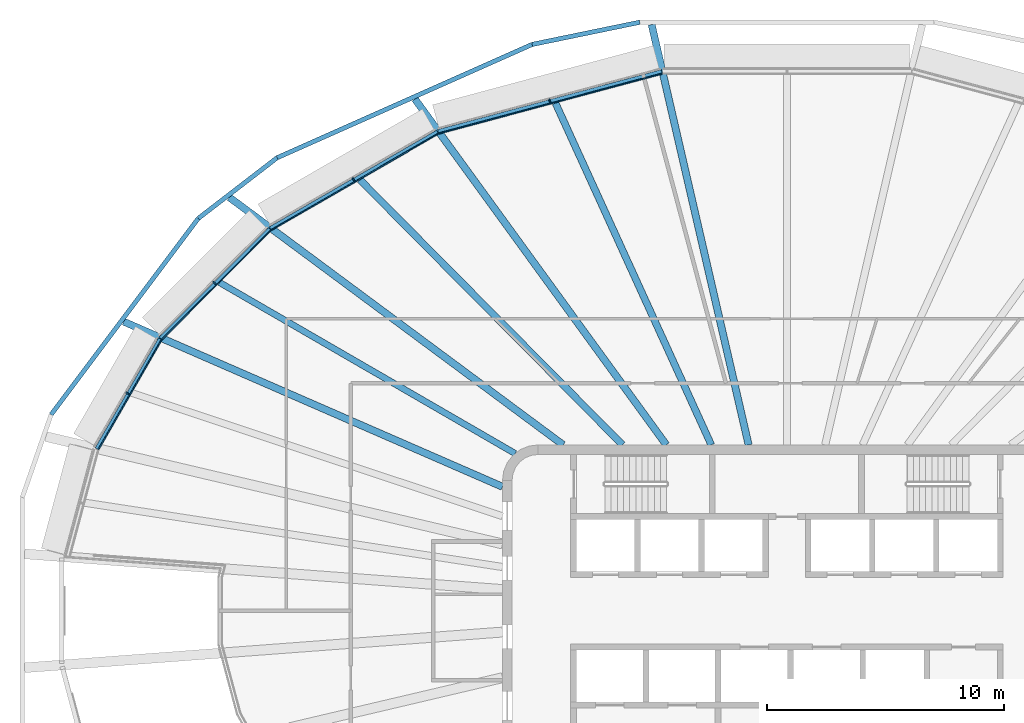
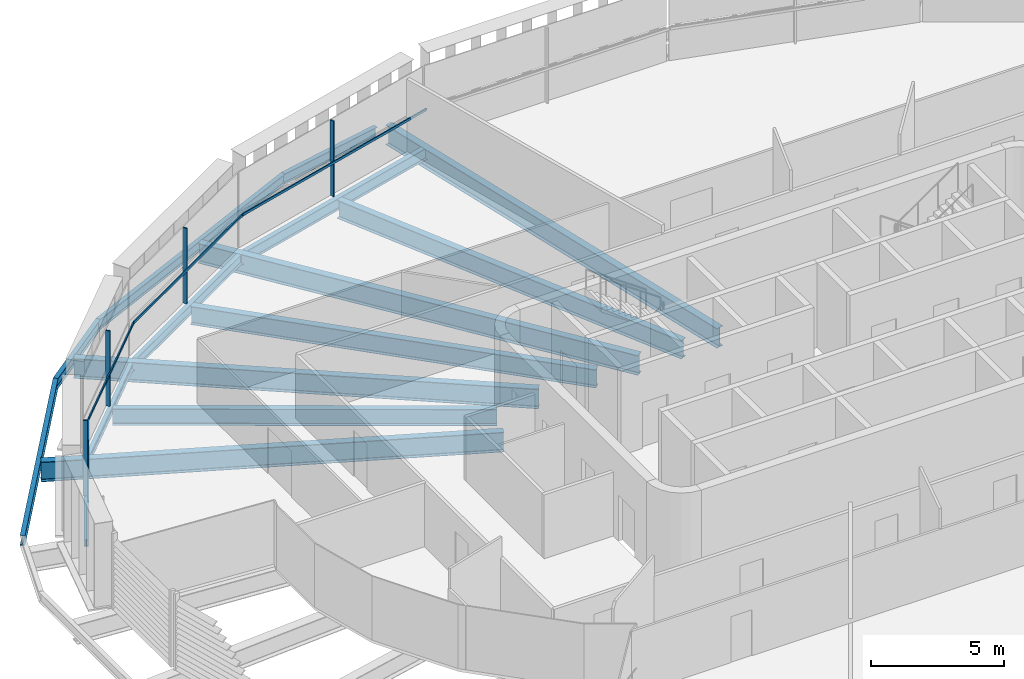
# One storey, part 5 of 19: 15 beams, 8 members, 4 elements without a shape of their own.
"""IFC4 building model written with IfcOpenShell, lengths in metres."""

import ifcopenshell
import ifcopenshell.guid

model = None  # the IFC model being written
_history = None  # IfcOwnerHistory: only IFC2X3 demands one
_inside = {}  # id of a spatial element -> (the spatial element, [elements in it])
_under = {}  # id of a project, library or spatial element -> (it, [spatial elements below it])
_declared = {}  # id of a project -> (the project, [libraries it declares])
_typed = {}  # id of a type object -> (the type object, [elements of that type])
_made_of = {}  # id of a material, layer set ... -> (it, [elements and type objects made of it])


def new_model(schema):
    """Start an empty IFC model of exactly this schema.

    Asked for "IFC4X3", IfcOpenShell would pick the latest addendum, in which some entities
    have other attributes; the version numbers below select the first issue.
    IFC2X3 requires an IfcOwnerHistory on every rooted entity: one is made here for all.
    """
    global model, _history
    if schema == "IFC4X3":
        model = ifcopenshell.file(schema_version=(4, 3, 0, 0))
    else:
        model = ifcopenshell.file(schema=schema)
    _inside.clear()
    _under.clear()
    _declared.clear()
    _typed.clear()
    _made_of.clear()
    _history = None
    if model.schema == "IFC2X3":
        org = make("IfcOrganization", Name="unknown")
        user = make(
            "IfcPersonAndOrganization",
            ThePerson=make("IfcPerson", FamilyName="unknown"),
            TheOrganization=org,
        )
        app = make(
            "IfcApplication",
            ApplicationDeveloper=org,
            Version="unknown",
            ApplicationFullName="unknown",
            ApplicationIdentifier="unknown",
        )
        _history = make(
            "IfcOwnerHistory",
            OwningUser=user,
            OwningApplication=app,
            ChangeAction="ADDED",
            CreationDate=0,
        )
    return model


def make(cls, **values):
    """One entity of the class cls with the attributes given. An attribute that is None is left unset."""
    return model.create_entity(
        cls, **{name: value for name, value in values.items() if value is not None}
    )


def rooted(cls, **values):
    """An entity with a GlobalId (a new one), such as an element, a storey or a relation."""
    return make(cls, GlobalId=ifcopenshell.guid.new(), OwnerHistory=_history, **values)


def si_unit(unit_type, name, prefix=None):
    """IfcSIUnit, for example si_unit("LENGTHUNIT", "METRE", prefix="MILLI")."""
    return make("IfcSIUnit", UnitType=unit_type, Prefix=prefix, Name=name)


def assignment(units):
    """IfcUnitAssignment: the units of a project."""
    return None if units is None else make("IfcUnitAssignment", Units=units)


def point(xyz):
    """IfcCartesianPoint."""
    return None if xyz is None else make("IfcCartesianPoint", Coordinates=xyz)


def direction(xyz):
    """IfcDirection."""
    return None if xyz is None else make("IfcDirection", DirectionRatios=xyz)


def frame(location, z_axis=None, x_axis=None):
    """IfcAxis2Placement3D, a coordinate frame: its origin and axes. An axis left out is left unset."""
    return make(
        "IfcAxis2Placement3D",
        Location=point(location),
        Axis=direction(z_axis),
        RefDirection=direction(x_axis),
    )


def frame_2d(location, x_axis=None):
    """IfcAxis2Placement2D, a coordinate frame in the plane: its origin and x axis."""
    return make(
        "IfcAxis2Placement2D", Location=point(location), RefDirection=direction(x_axis)
    )


def origin():
    """The frame at (0, 0, 0) with its axes left unset."""
    return frame((0.0, 0.0, 0.0))


def origin_2d():
    """The frame at (0, 0) in the plane with its x axis left unset."""
    return frame_2d((0.0, 0.0))


def place(relative_to, where):
    """IfcLocalPlacement: puts the frame where relative to a parent placement (None: the world)."""
    return make(
        "IfcLocalPlacement", PlacementRelTo=relative_to, RelativePlacement=where
    )


def context(
    kind, dimensions, precision=None, world=None, true_north=None, identifier=None
):
    """IfcGeometricRepresentationContext, for example the 3D "Model" context."""
    return make(
        "IfcGeometricRepresentationContext",
        ContextIdentifier=identifier,
        ContextType=kind,
        CoordinateSpaceDimension=dimensions,
        Precision=precision,
        WorldCoordinateSystem=world,
        TrueNorth=true_north,
    )


def subcontext(parent, identifier, kind, view, scale=None):
    """IfcGeometricRepresentationSubContext, for example "Body" below "Model"."""
    return make(
        "IfcGeometricRepresentationSubContext",
        ContextIdentifier=identifier,
        ContextType=kind,
        ParentContext=parent,
        TargetScale=scale,
        TargetView=view,
    )


def project(units=None, contexts=None):
    """IfcProject with its units and contexts."""
    return rooted(
        "IfcProject",
        Name="project",
        RepresentationContexts=contexts,
        UnitsInContext=assignment(units),
    )


def spatial(cls, under=None, at=None, **own):
    """A site, building, storey or space (cls), placed at a placement, below another one or the project."""
    s = rooted(cls, ObjectPlacement=at, **own)
    if under is not None:
        _under.setdefault(under.id(), (under, []))[1].append(s)
    return s


def profile(cls, at=None, kind="AREA", **sizes):
    """A parametric profile (cls). Its sizes go by their IFC names, for example OverallWidth=200.0."""
    return make(cls, ProfileType=kind, Position=at, **sizes)


def rectangle(**sizes):
    """IfcRectangleProfileDef."""
    return profile("IfcRectangleProfileDef", **sizes)


def i_section(**sizes):
    """IfcIShapeProfileDef."""
    return profile("IfcIShapeProfileDef", **sizes)


def extrude(swept, where, along, depth):
    """IfcExtrudedAreaSolid: the profile swept, set in the frame where, extruded along a direction by depth."""
    return make(
        "IfcExtrudedAreaSolid",
        SweptArea=swept,
        Position=where,
        ExtrudedDirection=direction(along),
        Depth=depth,
    )


def shape(context_of_items, identifier, shape_type, items):
    """IfcShapeRepresentation: the items that make up one representation, for example the "Body"."""
    return make(
        "IfcShapeRepresentation",
        ContextOfItems=context_of_items,
        RepresentationIdentifier=identifier,
        RepresentationType=shape_type,
        Items=items,
    )


def material(Name=None, Category=None):
    """IfcMaterial."""
    return make("IfcMaterial", Name=Name, Category=Category)


def layer(
    of_material, thickness, ventilated=None, Name=None, Category=None, Priority=None
):
    """IfcMaterialLayer: one layer of a wall or slab, of a material (None: an air gap)."""
    return make(
        "IfcMaterialLayer",
        Material=of_material,
        LayerThickness=thickness,
        IsVentilated=ventilated,
        Name=Name,
        Category=Category,
        Priority=Priority,
    )


def layer_set(layers, Name=None):
    """IfcMaterialLayerSet."""
    return make("IfcMaterialLayerSet", MaterialLayers=layers, LayerSetName=Name)


def material_profile(
    of_material, cross_section, Name=None, Category=None, Priority=None
):
    """IfcMaterialProfile: a cross section and its material."""
    return make(
        "IfcMaterialProfile",
        Name=Name,
        Material=of_material,
        Profile=cross_section,
        Priority=Priority,
        Category=Category,
    )


def profile_set(profiles, Name=None, composite=None):
    """IfcMaterialProfileSet."""
    return make(
        "IfcMaterialProfileSet",
        Name=Name,
        MaterialProfiles=profiles,
        CompositeProfile=composite,
    )


def made_of(thing, what):
    """Note that an element or type object is made of a material, layer set ...; save() writes the relation."""
    if what is not None:
        _made_of.setdefault(what.id(), (what, []))[1].append(thing)
    return thing


def type_object(cls, material=None, **own):
    """A type object (cls), such as IfcWallType, which elements share."""
    return made_of(rooted(cls, **own), material)


def element(
    cls,
    number,
    at=None,
    inside=None,
    cuts=None,
    type_object=None,
    material=None,
    context=None,
    identifier="Body",
    shape_type=None,
    held_by="IfcProductDefinitionShape",
    body=None,
    shapes=None,
    **own,
):
    """One element of the class cls, such as IfcWall. Its Tag is "e" and its number.

    at: its placement. inside: the storey or other place that contains it. cuts: it is an
    opening in that element (IfcRelVoidsElement). A single representation is given by context,
    identifier, shape_type and body (its items); several are given by shapes. held_by: the class
    of the entity that holds the representations. save() writes the other relations.
    """
    e = rooted(cls, Tag="e%d" % number, ObjectPlacement=at, **own)
    if body is not None:
        shapes = [shape(context, identifier, shape_type, body)]
    if shapes is not None:
        e.Representation = make(held_by, Representations=shapes)
    if inside is not None:
        _inside.setdefault(inside.id(), (inside, []))[1].append(e)
    if cuts is not None:
        rooted(
            "IfcRelVoidsElement", RelatingBuildingElement=cuts, RelatedOpeningElement=e
        )
    if type_object is not None:
        _typed.setdefault(type_object.id(), (type_object, []))[1].append(e)
    return made_of(e, material)


def aggregate(whole, parts):
    """IfcRelAggregates: a whole, such as a stair, and the parts it consists of."""
    return rooted("IfcRelAggregates", RelatingObject=whole, RelatedObjects=parts)


def save(model, path):
    """Write the relations noted so far, then the file.

    IfcRelAggregates (storeys below a building ...), IfcRelContainedInSpatialStructure (elements
    in a storey), IfcRelDefinesByType, IfcRelAssociatesMaterial and IfcRelDeclares: one each for
    every whole, place, type object, material and project.
    """
    for whole, parts in _under.values():
        aggregate(whole, parts)
    for where, things in _inside.values():
        rooted(
            "IfcRelContainedInSpatialStructure",
            RelatedElements=things,
            RelatingStructure=where,
        )
    for kind, things in _typed.values():
        rooted("IfcRelDefinesByType", RelatedObjects=things, RelatingType=kind)
    for what, things in _made_of.values():
        rooted("IfcRelAssociatesMaterial", RelatedObjects=things, RelatingMaterial=what)
    for by, libraries in _declared.values():
        rooted("IfcRelDeclares", RelatingContext=by, RelatedDefinitions=libraries)
    model.write(path)


model = new_model("IFC4")

# Units and contexts
model_context = context("Model", 3, precision=1e-05, world=origin(), true_north=direction((0.0, 1.0)))
body_context = subcontext(model_context, "Body", "Model", "MODEL_VIEW")
ifc_project = project(units=[si_unit("LENGTHUNIT", "METRE"), si_unit("AREAUNIT", "SQUARE_METRE"), si_unit("VOLUMEUNIT", "CUBIC_METRE"), si_unit("PLANEANGLEUNIT", "RADIAN"), si_unit("MASSUNIT", "GRAM", prefix="KILO")], contexts=[model_context])

# Site, building, storey
site_placement = place(None, origin())
site = spatial("IfcSite", under=ifc_project, at=site_placement, CompositionType="ELEMENT")
building_placement = place(site_placement, origin())
building = spatial("IfcBuilding", under=site, at=building_placement, Name="Sahrelin Media Tower", CompositionType="ELEMENT")
storey_placement = place(building_placement, frame((0.0, 0.0, 229.60009765625)))
storey = spatial("IfcBuildingStorey", under=building, at=storey_placement, Name="L49", CompositionType="ELEMENT", Elevation=229.60009765625)

# Beams
ifc_material_1 = material(Name="Steel S355", Category="steel")
ifc_material_profile_1 = material_profile(ifc_material_1, i_section(OverallWidth=0.1650390625, OverallDepth=0.303466796875, WebThickness=0.006103515625, FlangeThickness=0.01025390625, FilletRadius=0.0087890625, at=origin_2d()), Name="UB 305x165x40")
ifc_profile_set_1 = profile_set([ifc_material_profile_1], Name="Steel S355")
beam_type_1 = type_object("IfcBeamType", Name="Edge beam EB2", PredefinedType="BEAM", material=ifc_profile_set_1)
beam_1_placement = place(storey_placement, frame((-29.114013671875, 6.8349609375, -0.3017578125), z_axis=(0.500023797175, 0.866011664043, 0.0), x_axis=(-0.866011664043, 0.500023797175, 0.0)))
element("IfcBeam", 1, at=beam_1_placement, inside=storey, type_object=beam_type_1, Name="Edge beam L49-11", PredefinedType="BEAM", context=body_context, shape_type="SweptSolid", body=[
    extrude(i_section(OverallWidth=0.1650390625, OverallDepth=0.303466796875, WebThickness=0.006103515625, FlangeThickness=0.01025390625, FilletRadius=0.0087890625, at=origin_2d()), origin(), (0.0, 0.0, 1.0), 5.353271484375),
])
ifc_material_profile_2 = material_profile(ifc_material_1, i_section(OverallWidth=0.17138671875, OverallDepth=0.35498046875, WebThickness=0.00732421875, FlangeThickness=0.011474609375, FilletRadius=0.01025390625, at=origin_2d()), Name="UB 356x171x51")
ifc_profile_set_2 = profile_set([ifc_material_profile_2], Name="Steel S355")
beam_type_2 = type_object("IfcBeamType", Name="Edge beam EB3", PredefinedType="BEAM", material=ifc_profile_set_2)
beam_2_placement = place(storey_placement, frame((-26.419921875, 11.493896484375, -0.32763671875), z_axis=(0.707125508771, 0.707088053106, 0.0), x_axis=(-0.707088053106, 0.707125508771, 0.0)))
element("IfcBeam", 2, at=beam_2_placement, inside=storey, type_object=beam_type_2, Name="Edge beam L49-12", PredefinedType="BEAM", context=body_context, shape_type="SweptSolid", body=[
    extrude(i_section(OverallWidth=0.17138671875, OverallDepth=0.35498046875, WebThickness=0.00732421875, FlangeThickness=0.011474609375, FilletRadius=0.01025390625, at=origin_2d()), origin(), (0.0, 0.0, 1.0), 6.51806640625),
])
ifc_material_profile_3 = material_profile(ifc_material_1, i_section(OverallWidth=0.1904296875, OverallDepth=0.45703125, WebThickness=0.009033203125, FlangeThickness=0.014404296875, FilletRadius=0.01025390625, at=origin_2d()), Name="UB 457x191x74")
ifc_profile_set_3 = profile_set([ifc_material_profile_3], Name="Steel S355")
beam_type_3 = type_object("IfcBeamType", Name="Edge beam EB5", PredefinedType="BEAM", material=ifc_profile_set_3)
beam_3_placement = place(storey_placement, frame((-21.787841796875, 16.120361328125, -0.378662109375), z_axis=(0.866014284008, 0.500019259524, 0.0), x_axis=(-0.500019259524, 0.866014284008, 0.0)))
element("IfcBeam", 3, at=beam_3_placement, inside=storey, type_object=beam_type_3, Name="Edge beam L49-13", PredefinedType="BEAM", context=body_context, shape_type="SweptSolid", body=[
    extrude(i_section(OverallWidth=0.1904296875, OverallDepth=0.45703125, WebThickness=0.009033203125, FlangeThickness=0.014404296875, FilletRadius=0.01025390625, at=origin_2d()), origin(), (0.0, 0.0, 1.0), 8.140869140625),
])
ifc_material_profile_4 = material_profile(ifc_material_1, i_section(OverallWidth=0.208740234375, OverallDepth=0.5283203125, WebThickness=0.009521484375, FlangeThickness=0.01318359375, FilletRadius=0.0126953125, at=origin_2d()), Name="UB 533x210x82")
ifc_profile_set_4 = profile_set([ifc_material_profile_4], Name="Steel S355")
beam_type_4 = type_object("IfcBeamType", Name="Edge beam EB6", PredefinedType="BEAM", material=ifc_profile_set_4)
beam_4_placement = place(storey_placement, frame((-14.711181640625, 20.201904296875, -0.414306640625), z_axis=(0.965927302577, 0.258813535459, 0.0), x_axis=(-0.258813535459, 0.965927302577, 0.0)))
element("IfcBeam", 4, at=beam_4_placement, inside=storey, type_object=beam_type_4, Name="Edge beam L49-14", PredefinedType="BEAM", context=body_context, shape_type="SweptSolid", body=[
    extrude(i_section(OverallWidth=0.208740234375, OverallDepth=0.5283203125, WebThickness=0.009521484375, FlangeThickness=0.01318359375, FilletRadius=0.0126953125, at=origin_2d()), origin(), (0.0, 0.0, 1.0), 9.768798828125),
])

# Curtain wall, member
ifc_material_2 = material(Name="Champagne anodised aluminium 6063-T6", Category="aluminium")
ifc_layer = layer(ifc_material_2, 0.14990234375)
ifc_layer_set = layer_set([ifc_layer], Name="Tower ribbon curtain wall")
curtain_wall_type = type_object("IfcCurtainWallType", Name="Tower ribbon curtain wall", PredefinedType="NOTDEFINED", material=ifc_layer_set)
curtain_wall_1_placement = place(storey_placement, frame((-10.031982421875, 21.611083984375, 0.0), z_axis=(0.0, 0.0, 1.0), x_axis=(1.0, 0.0, 0.0)))
curtain_wall_1 = element("IfcCurtainWall", 5, at=curtain_wall_1_placement, inside=storey, type_object=curtain_wall_type, Name="L49:CW:L49-07", PredefinedType="NOTDEFINED")
ifc_material_profile_5 = material_profile(ifc_material_2, rectangle(XDim=0.06005859375, YDim=0.175048828125, at=origin_2d()), Name="Mullion 60x175")
ifc_profile_set_5 = profile_set([ifc_material_profile_5], Name="Champagne anodised aluminium 6063-T6")
member_type_1 = type_object("IfcMemberType", Name="Mullion 60x175 CW1B", PredefinedType="MULLION", material=ifc_profile_set_5)
member_1_placement = place(storey_placement, frame((-10.004150390625, 21.507080078125, 0.0), z_axis=(0.0, 0.0, 1.0), x_axis=(-0.965925826289, -0.258819045103, 0.0)))
member_1 = element("IfcMember", 6, at=member_1_placement, type_object=member_type_1, Name="L49:CWM:L49-07", PredefinedType="MULLION", context=body_context, shape_type="SweptSolid", body=[
    extrude(rectangle(XDim=0.06005859375, YDim=0.175048828125, at=origin_2d()), origin(), (0.0, 0.0, 1.0), 3.448486328125),
])

curtain_wall_2_placement = place(storey_placement, frame((-18.337646484375, 18.285400390625, 0.0), z_axis=(0.0, 0.0, 1.0), x_axis=(1.0, 0.0, 0.0)))
curtain_wall_2 = element("IfcCurtainWall", 7, at=curtain_wall_2_placement, inside=storey, type_object=curtain_wall_type, Name="L49:CW:L49-08", PredefinedType="NOTDEFINED")
member_2_placement = place(storey_placement, frame((-18.283935546875, 18.1923828125, 0.0), z_axis=(0.0, 0.0, 1.0), x_axis=(-0.86602365845, -0.500003022996, 0.0)))
member_2 = element("IfcMember", 8, at=member_2_placement, type_object=member_type_1, Name="L49:CWM:L49-08", PredefinedType="MULLION", context=body_context, shape_type="SweptSolid", body=[
    extrude(rectangle(XDim=0.06005859375, YDim=0.175048828125, at=origin_2d()), origin(), (0.0, 0.0, 1.0), 3.448486328125),
])

curtain_wall_3_placement = place(storey_placement, frame((-24.22119140625, 13.904296875, 0.0), z_axis=(0.0, 0.0, 1.0), x_axis=(1.0, 0.0, 0.0)))
curtain_wall_3 = element("IfcCurtainWall", 9, at=curtain_wall_3_placement, inside=storey, type_object=curtain_wall_type, Name="L49:CW:L49-09", PredefinedType="NOTDEFINED")
member_3_placement = place(storey_placement, frame((-24.145263671875, 13.828369140625, 0.0), z_axis=(0.0, 0.0, 1.0), x_axis=(-0.707106781187, -0.707106781187, 0.0)))
member_3 = element("IfcMember", 10, at=member_3_placement, type_object=member_type_1, Name="L49:CWM:L49-09", PredefinedType="MULLION", context=body_context, shape_type="SweptSolid", body=[
    extrude(rectangle(XDim=0.06005859375, YDim=0.175048828125, at=origin_2d()), origin(), (0.0, 0.0, 1.0), 3.448486328125),
])

curtain_wall_4_placement = place(storey_placement, frame((-27.905517578125, 9.227783203125, 0.0), z_axis=(0.0, 0.0, 1.0), x_axis=(1.0, 0.0, 0.0)))
curtain_wall_4 = element("IfcCurtainWall", 11, at=curtain_wall_4_placement, inside=storey, type_object=curtain_wall_type, Name="L49:CW:L49-10", PredefinedType="NOTDEFINED")
member_4_placement = place(storey_placement, frame((-27.8125, 9.17431640625, 0.0), z_axis=(0.0, 0.0, 1.0), x_axis=(-0.499995465495, -0.866028021766, 0.0)))
member_4 = element("IfcMember", 12, at=member_4_placement, type_object=member_type_1, Name="L49:CWM:L49-10", PredefinedType="MULLION", context=body_context, shape_type="SweptSolid", body=[
    extrude(rectangle(XDim=0.06005859375, YDim=0.175048828125, at=origin_2d()), origin(), (0.0, 0.0, 1.0), 3.448486328125),
])

# Beams
ifc_material_profile_6 = material_profile(ifc_material_1, i_section(OverallWidth=0.30322265625, OverallDepth=0.903076171875, WebThickness=0.01513671875, FlangeThickness=0.020263671875, FilletRadius=0.01904296875, at=origin_2d()), Name="UB 914x305x201")
ifc_profile_set_6 = profile_set([ifc_material_profile_6], Name="Steel S355")
beam_type_5 = type_object("IfcBeamType", Name="Radial primary beam PB11", PredefinedType="BEAM", material=ifc_profile_set_6)
beam_5_placement = place(storey_placement, frame((-1.615234375, 7.0, -0.6015625), z_axis=(-0.224863425005, 0.974390291462, 0.0), x_axis=(-0.974390291462, -0.224863425005, 0.0)))
element("IfcBeam", 13, at=beam_5_placement, inside=storey, type_object=beam_type_5, Name="Radial beam L49-07", PredefinedType="BEAM", context=body_context, shape_type="SweptSolid", body=[
    extrude(i_section(OverallWidth=0.30322265625, OverallDepth=0.903076171875, WebThickness=0.01513671875, FlangeThickness=0.020263671875, FilletRadius=0.01904296875, at=origin_2d()), origin(), (0.0, 0.0, 1.0), 18.2021484375),
])
beam_6_placement = place(storey_placement, frame((-5.088134765625, 7.0, -0.6015625), z_axis=(-0.587961672332, 0.808888788319, 0.0), x_axis=(-0.808888788319, -0.587961672332, 0.0)))
element("IfcBeam", 14, at=beam_6_placement, inside=storey, type_object=beam_type_5, Name="Radial beam L49-08", PredefinedType="BEAM", context=body_context, shape_type="SweptSolid", body=[
    extrude(i_section(OverallWidth=0.30322265625, OverallDepth=0.903076171875, WebThickness=0.01513671875, FlangeThickness=0.020263671875, FilletRadius=0.01904296875, at=origin_2d()), origin(), (0.0, 0.0, 1.0), 18.04150390625),
])
beam_7_placement = place(storey_placement, frame((-9.4404296875, 7.0, -0.6015625), z_axis=(-0.803268009865, 0.595617750178, 0.0), x_axis=(-0.595617750178, -0.803268009865, 0.0)))
element("IfcBeam", 15, at=beam_7_placement, inside=storey, type_object=beam_type_5, Name="Radial beam L49-09", PredefinedType="BEAM", context=body_context, shape_type="SweptSolid", body=[
    extrude(i_section(OverallWidth=0.30322265625, OverallDepth=0.903076171875, WebThickness=0.01513671875, FlangeThickness=0.020263671875, FilletRadius=0.01904296875, at=origin_2d()), origin(), (0.0, 0.0, 1.0), 17.53369140625),
])
beam_8_placement = place(storey_placement, frame((-12.0, 5.23193359375, -0.6015625), z_axis=(-0.916663739378, 0.399659341077, 0.0), x_axis=(-0.399659341077, -0.916663739378, 0.0)))
element("IfcBeam", 16, at=beam_8_placement, inside=storey, type_object=beam_type_5, Name="Radial beam L49-10", PredefinedType="BEAM", context=body_context, shape_type="SweptSolid", body=[
    extrude(i_section(OverallWidth=0.30322265625, OverallDepth=0.903076171875, WebThickness=0.01513671875, FlangeThickness=0.020263671875, FilletRadius=0.01904296875, at=origin_2d()), origin(), (0.0, 0.0, 1.0), 17.434814453125),
])
ifc_material_profile_7 = material_profile(ifc_material_1, i_section(OverallWidth=0.291748046875, OverallDepth=0.8349609375, WebThickness=0.013916015625, FlangeThickness=0.018798828125, FilletRadius=0.017822265625, at=origin_2d()), Name="UB 838x292x176")
ifc_profile_set_7 = profile_set([ifc_material_profile_7], Name="Steel S355")
beam_type_6 = type_object("IfcBeamType", Name="Radial secondary beam SB10", PredefinedType="BEAM", material=ifc_profile_set_7)
beam_9_placement = place(storey_placement, frame((-3.190673828125, 7.0, -0.567626953125), z_axis=(-0.414737127923, 0.90994126993, 0.0), x_axis=(-0.90994126993, -0.414737127923, 0.0)))
element("IfcBeam", 17, at=beam_9_placement, inside=storey, type_object=beam_type_6, Name="Secondary beam L49-07", PredefinedType="BEAM", context=body_context, shape_type="SweptSolid", body=[
    extrude(i_section(OverallWidth=0.291748046875, OverallDepth=0.8349609375, WebThickness=0.013916015625, FlangeThickness=0.018798828125, FilletRadius=0.017822265625, at=origin_2d()), origin(), (0.0, 0.0, 1.0), 15.846923828125),
])
beam_10_placement = place(storey_placement, frame((-6.933837890625, 7.0, -0.567626953125), z_axis=(-0.703742345505, 0.710455284408, 0.0), x_axis=(-0.710455284408, -0.703742345505, 0.0)))
element("IfcBeam", 18, at=beam_10_placement, inside=storey, type_object=beam_type_6, Name="Secondary beam L49-08", PredefinedType="BEAM", context=body_context, shape_type="SweptSolid", body=[
    extrude(i_section(OverallWidth=0.291748046875, OverallDepth=0.8349609375, WebThickness=0.013916015625, FlangeThickness=0.018798828125, FilletRadius=0.017822265625, at=origin_2d()), origin(), (0.0, 0.0, 1.0), 15.74755859375),
])
ifc_material_profile_8 = material_profile(ifc_material_1, i_section(OverallWidth=0.26513671875, OverallDepth=0.75390625, WebThickness=0.0126953125, FlangeThickness=0.017578125, FilletRadius=0.0166015625, at=origin_2d()), Name="UB 762x267x147")
ifc_profile_set_8 = profile_set([ifc_material_profile_8], Name="Steel S355")
beam_type_7 = type_object("IfcBeamType", Name="Radial secondary beam SB9", PredefinedType="BEAM", material=ifc_profile_set_8)
beam_11_placement = place(storey_placement, frame((-11.464599609375, 6.63427734375, -0.527099609375), z_axis=(-0.8655283248, 0.500859979405, 0.0), x_axis=(-0.500859979405, -0.8655283248, 0.0)))
element("IfcBeam", 19, at=beam_11_placement, inside=storey, type_object=beam_type_7, Name="Secondary beam L49-09", PredefinedType="BEAM", context=body_context, shape_type="SweptSolid", body=[
    extrude(i_section(OverallWidth=0.26513671875, OverallDepth=0.75390625, WebThickness=0.0126953125, FlangeThickness=0.017578125, FilletRadius=0.0166015625, at=origin_2d()), origin(), (0.0, 0.0, 1.0), 14.41259765625),
])
ifc_material_profile_9 = material_profile(ifc_material_1, i_section(OverallWidth=0.1904296875, OverallDepth=0.45703125, WebThickness=0.009033203125, FlangeThickness=0.014404296875, FilletRadius=0.01025390625, at=origin_2d()), Name="UB 457x191x74")
ifc_profile_set_9 = profile_set([ifc_material_profile_9], Name="Steel S355")
beam_type_8 = type_object("IfcBeamType", Name="Tie chord TC5", PredefinedType="BEAM", material=ifc_profile_set_9)
beam_12_placement = place(storey_placement, frame((-6.2119140625, 24.831298828125, -0.378662109375), z_axis=(-0.979389968608, -0.201978437935, 0.0), x_axis=(0.201978437935, -0.979389968608, 0.0)))
element("IfcBeam", 20, at=beam_12_placement, inside=storey, type_object=beam_type_8, Name="Tie chord L49-07", PredefinedType="BEAM", context=body_context, shape_type="SweptSolid", body=[
    extrude(i_section(OverallWidth=0.1904296875, OverallDepth=0.45703125, WebThickness=0.009033203125, FlangeThickness=0.014404296875, FilletRadius=0.01025390625, at=origin_2d()), origin(), (0.0, 0.0, 1.0), 4.63427734375),
])
beam_13_placement = place(storey_placement, frame((-10.750732421875, 23.895263671875, -0.378662109375), z_axis=(-0.913838908375, -0.406076901017, 0.0), x_axis=(0.406076901017, -0.913838908375, 0.0)))
element("IfcBeam", 21, at=beam_13_placement, inside=storey, type_object=beam_type_8, Name="Tie chord L49-08", PredefinedType="BEAM", context=body_context, shape_type="SweptSolid", body=[
    extrude(i_section(OverallWidth=0.1904296875, OverallDepth=0.45703125, WebThickness=0.009033203125, FlangeThickness=0.014404296875, FilletRadius=0.01025390625, at=origin_2d()), origin(), (0.0, 0.0, 1.0), 11.774169921875),
])
beam_14_placement = place(storey_placement, frame((-21.510498046875, 19.114013671875, -0.378662109375), z_axis=(-0.792411812876, -0.609986490682, 0.0), x_axis=(0.609986490682, -0.792411812876, 0.0)))
element("IfcBeam", 22, at=beam_14_placement, inside=storey, type_object=beam_type_8, Name="Tie chord L49-09", PredefinedType="BEAM", context=body_context, shape_type="SweptSolid", body=[
    extrude(i_section(OverallWidth=0.1904296875, OverallDepth=0.45703125, WebThickness=0.009033203125, FlangeThickness=0.014404296875, FilletRadius=0.01025390625, at=origin_2d()), origin(), (0.0, 0.0, 1.0), 4.19287109375),
])
beam_15_placement = place(storey_placement, frame((-24.8330078125, 16.556396484375, -0.378662109375), z_axis=(-0.600064143266, -0.799951888533, 0.0), x_axis=(0.799951888533, -0.600064143266, 0.0)))
element("IfcBeam", 23, at=beam_15_placement, inside=storey, type_object=beam_type_8, Name="Tie chord L49-10", PredefinedType="BEAM", context=body_context, shape_type="SweptSolid", body=[
    extrude(i_section(OverallWidth=0.1904296875, OverallDepth=0.45703125, WebThickness=0.009033203125, FlangeThickness=0.014404296875, FilletRadius=0.01025390625, at=origin_2d()), origin(), (0.0, 0.0, 1.0), 10.3525390625),
])

# Member
ifc_material_profile_10 = material_profile(ifc_material_2, rectangle(XDim=0.050048828125, YDim=0.110107421875, at=origin_2d()), Name="Transom 50x110")
ifc_profile_set_10 = profile_set([ifc_material_profile_10], Name="Champagne anodised aluminium 6063-T6")
member_type_2 = type_object("IfcMemberType", Name="Transom 50x110 CW1B", PredefinedType="USERDEFINED", material=ifc_profile_set_10)
member_5_placement = place(storey_placement, frame((-5.272216796875, 22.65869140625, 1.599853515625), z_axis=(-0.965917944543, -0.25884845839, 0.0), x_axis=(0.25884845839, -0.965917944543, 0.0)))
member_5 = element("IfcMember", 24, at=member_5_placement, type_object=member_type_2, Name="L49:CWT:L49-07", ObjectType="TRANSOM", PredefinedType="USERDEFINED", context=body_context, shape_type="SweptSolid", body=[
    extrude(rectangle(XDim=0.050048828125, YDim=0.110107421875, at=origin_2d()), origin(), (0.0, 0.0, 1.0), 9.7373046875),
])

aggregate(curtain_wall_1, [member_1, member_5])

member_6_placement = place(storey_placement, frame((-14.71630859375, 20.122314453125, 1.599853515625), z_axis=(-0.866026157845, -0.499998693927, 0.0), x_axis=(0.499998693927, -0.866026157845, 0.0)))
member_6 = element("IfcMember", 25, at=member_6_placement, type_object=member_type_2, Name="L49:CWT:L49-08", ObjectType="TRANSOM", PredefinedType="USERDEFINED", context=body_context, shape_type="SweptSolid", body=[
    extrude(rectangle(XDim=0.050048828125, YDim=0.110107421875, at=origin_2d()), origin(), (0.0, 0.0, 1.0), 8.109375),
])

aggregate(curtain_wall_2, [member_2, member_6])

member_7_placement = place(storey_placement, frame((-21.772216796875, 16.042236328125, 1.599853515625), z_axis=(-0.707106781187, -0.707106781187, 0.0), x_axis=(0.707106781187, -0.707106781187, 0.0)))
member_7 = element("IfcMember", 26, at=member_7_placement, type_object=member_type_2, Name="L49:CWT:L49-09", ObjectType="TRANSOM", PredefinedType="USERDEFINED", context=body_context, shape_type="SweptSolid", body=[
    extrude(rectangle(XDim=0.050048828125, YDim=0.110107421875, at=origin_2d()), origin(), (0.0, 0.0, 1.0), 6.48681640625),
])

aggregate(curtain_wall_3, [member_3, member_7])

member_8_placement = place(storey_placement, frame((-26.384521484375, 11.42236328125, 1.599853515625), z_axis=(-0.500012351221, -0.866018272686, 0.0), x_axis=(0.866018272686, -0.500012351221, 0.0)))
member_8 = element("IfcMember", 27, at=member_8_placement, type_object=member_type_2, Name="L49:CWT:L49-10", ObjectType="TRANSOM", PredefinedType="USERDEFINED", context=body_context, shape_type="SweptSolid", body=[
    extrude(rectangle(XDim=0.050048828125, YDim=0.110107421875, at=origin_2d()), origin(), (0.0, 0.0, 1.0), 5.321533203125),
])

aggregate(curtain_wall_4, [member_4, member_8])

save(model, "model.ifc")
